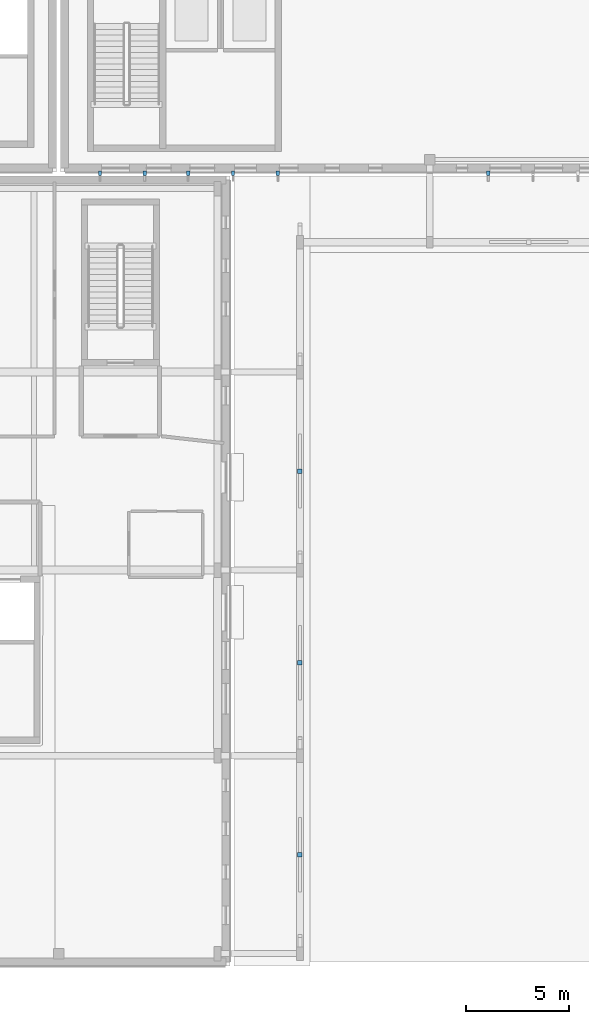
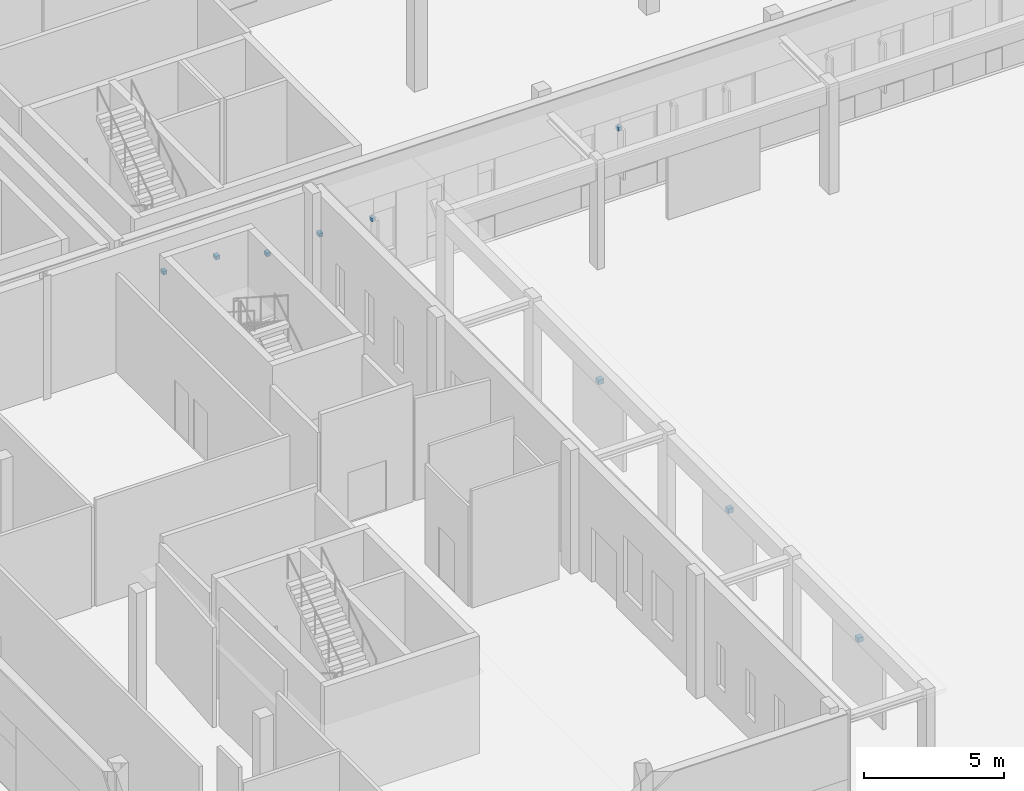
# One storey, part 54 of 84: 9 discrete accessories.
"""IFC4 building model written with IfcOpenShell, lengths in metres."""

from ifc_helpers import new_model, si_unit, direction, frame, origin, origin_2d, place, context, subcontext, project, spatial, rectangle, extrude, material, type_object, element, save


model = new_model("IFC4")

# Units and contexts
model_context = context("Model", 3, precision=1e-05, world=origin(), true_north=direction((0.0, 1.0)))
body_context = subcontext(model_context, "Body", "Model", "MODEL_VIEW")
ifc_project = project(units=[si_unit("LENGTHUNIT", "METRE"), si_unit("AREAUNIT", "SQUARE_METRE"), si_unit("VOLUMEUNIT", "CUBIC_METRE"), si_unit("PLANEANGLEUNIT", "RADIAN"), si_unit("MASSUNIT", "GRAM", prefix="KILO")], contexts=[model_context])

# Site, building, storey
site_placement = place(None, origin())
site = spatial("IfcSite", under=ifc_project, at=site_placement, CompositionType="ELEMENT")
building_placement = place(site_placement, origin())
building = spatial("IfcBuilding", under=site, at=building_placement, Name="Mzevani Central Library", CompositionType="ELEMENT")
storey_placement = place(building_placement, origin())
storey = spatial("IfcBuildingStorey", under=building, at=storey_placement, Name="L00", CompositionType="ELEMENT", Elevation=0.0)

# Discrete accessories
ifc_material = material(Name="Steel S355J2", Category="steel")
discrete_accessory_type = type_object("IfcDiscreteAccessoryType", Name="Stainless Facade Support Bracket", PredefinedType="BRACKET", material=ifc_material)
for number, where, z_axis, x_axis, name in (
    (1, (66.830078125, 42.43994140625, 2.919921875), (0.0, 0.0, 1.0), (-1.0, 0.0, 0.0), "L00 V1 Fin Support Bracket (31)"),
    (2, (56.6298828125, 42.43994140625, 2.52001953125), (0.0, 0.0, 1.0), (-1.0, 0.0, 0.0), "L00 V1 Fin Support Bracket (35)"),
    (3, (54.455078125, 42.43994140625, 2.6201171875), (0.0, 0.0, 1.0), (-1.0, 0.0, 0.0), "L00 V1 Fin Support Bracket (36)"),
    (4, (52.280029296875, 42.43994140625, 2.52001953125), (0.0, 0.0, 1.0), (-1.0, 0.0, 0.0), "L00 V1 Fin Support Bracket (37)"),
    (5, (50.179931640625, 42.43994140625, 3.1201171875), (0.0, 0.0, 1.0), (-1.0, 0.0, 0.0), "L00 V1 Fin Support Bracket (38)"),
    (6, (48.0048828125, 42.43994140625, 3.22021484375), (0.0, 0.0, 1.0), (-1.0, 0.0, 0.0), "L00 V1 Fin Support Bracket (39)"),
):
    element("IfcDiscreteAccessory", number, at=place(storey_placement, frame(where, z_axis=z_axis, x_axis=x_axis)), inside=storey, type_object=discrete_accessory_type, Name=name, PredefinedType="BRACKET", context=body_context, shape_type="SweptSolid", body=[
        extrude(rectangle(XDim=0.159912109375, YDim=0.199951171875, at=origin_2d()), origin(), (0.0, 0.0, 1.0), 0.159912109375),
    ])
for number, where, z_axis, x_axis, name in (
    (7, (57.699951171875, 9.39990234375, 3.7998046875), (0.0, 0.0, 1.0), (1.0, 0.0, 0.0), "L00 Breeze-Block Screen Bracket 1"),
    (8, (57.699951171875, 18.699951171875, 3.7998046875), (0.0, 0.0, 1.0), (1.0, 0.0, 0.0), "L00 Breeze-Block Screen Bracket 2"),
    (9, (57.699951171875, 28.0, 3.7998046875), (0.0, 0.0, 1.0), (1.0, 0.0, 0.0), "L00 Breeze-Block Screen Bracket 3"),
):
    element("IfcDiscreteAccessory", number, at=place(storey_placement, frame(where, z_axis=z_axis, x_axis=x_axis)), inside=storey, type_object=discrete_accessory_type, Name=name, PredefinedType="BRACKET", context=body_context, shape_type="SweptSolid", body=[
        extrude(rectangle(XDim=0.219970703125, YDim=0.219970703125, at=origin_2d()), origin(), (0.0, 0.0, 1.0), 0.199951171875),
    ])

save(model, "model.ifc")
